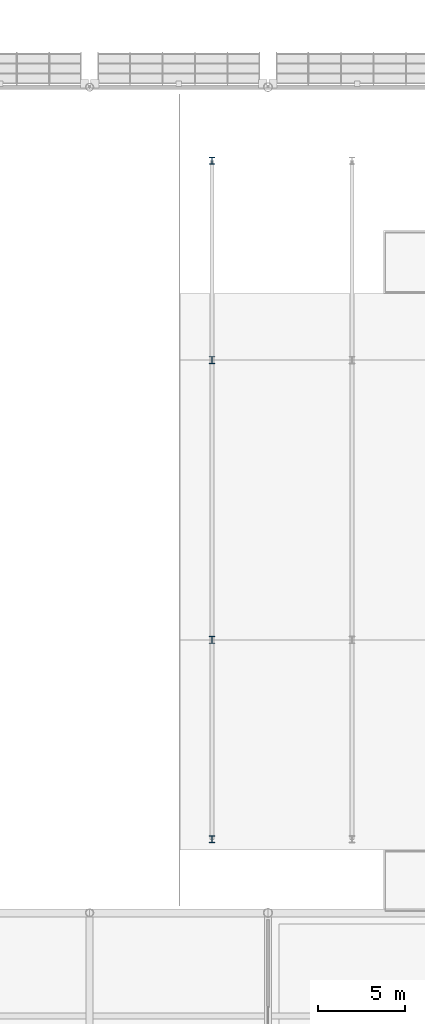
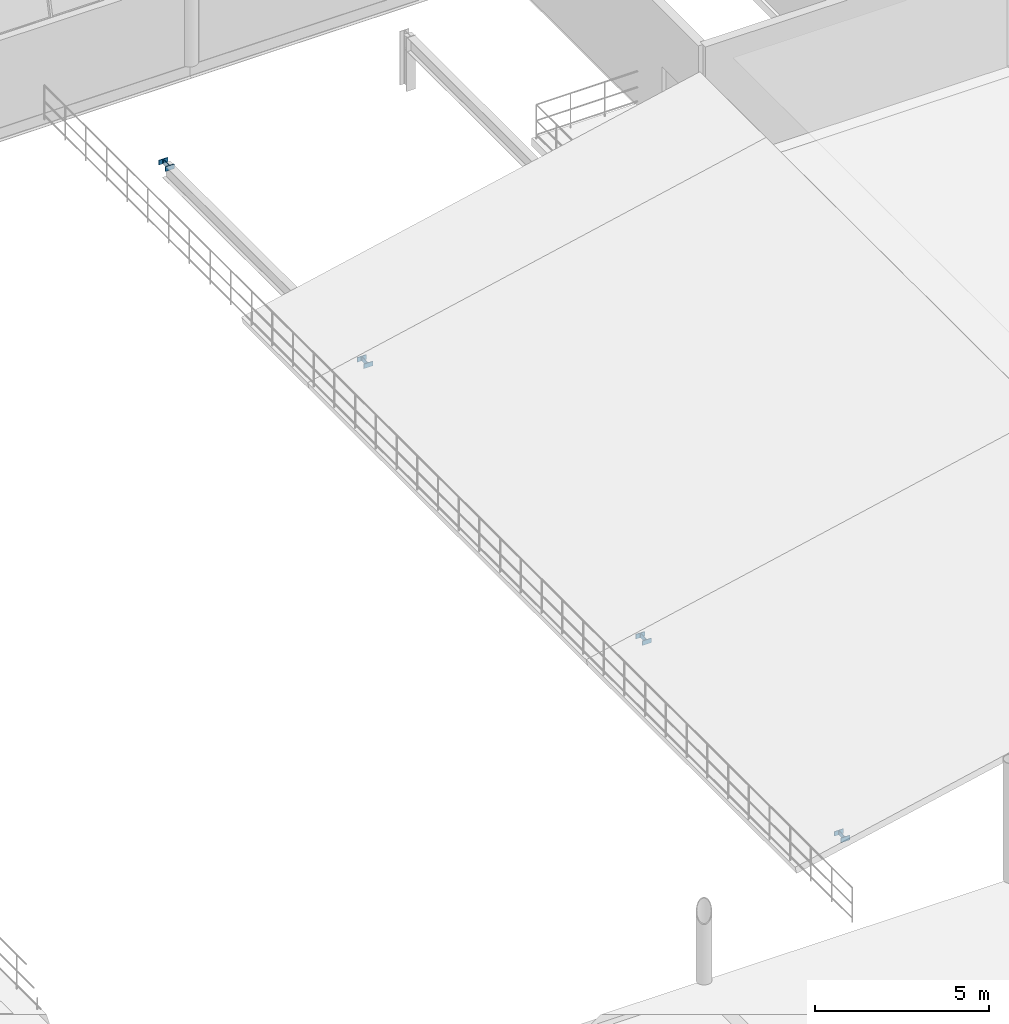
# One storey, part 20 of 157: 4 columns.
"""IFC4 building model written with IfcOpenShell, lengths in metres."""

from ifc_helpers import new_model, si_unit, direction, frame, origin, origin_2d, place, context, subcontext, project, spatial, i_section, extrude, material, material_profile, profile_set, type_object, element, save


model = new_model("IFC4")

# Units and contexts
model_context = context("Model", 3, precision=1e-05, world=origin(), true_north=direction((0.0, 1.0)))
body_context = subcontext(model_context, "Body", "Model", "MODEL_VIEW")
ifc_project = project(units=[si_unit("LENGTHUNIT", "METRE"), si_unit("AREAUNIT", "SQUARE_METRE"), si_unit("VOLUMEUNIT", "CUBIC_METRE"), si_unit("PLANEANGLEUNIT", "RADIAN"), si_unit("MASSUNIT", "GRAM", prefix="KILO")], contexts=[model_context])

# Site, building, storey
site_placement = place(None, origin())
site = spatial("IfcSite", under=ifc_project, at=site_placement, CompositionType="ELEMENT")
building_placement = place(site_placement, origin())
building = spatial("IfcBuilding", under=site, at=building_placement, Name="Brelvane Convention Centre", CompositionType="ELEMENT")
storey_placement = place(building_placement, frame((0.0, 0.0, 10.800048828125)))
storey = spatial("IfcBuildingStorey", under=building, at=storey_placement, Name="L02", CompositionType="ELEMENT", Elevation=10.800048828125)

# Columns
ifc_material = material(Name="Steel E350 (350 MPa)", Category="steel")
ifc_material_profile = material_profile(ifc_material, i_section(OverallWidth=0.300048828125, OverallDepth=0.39990234375, WebThickness=0.013427734375, FlangeThickness=0.02392578125, FilletRadius=0.027099609375, at=origin_2d()), Name="WPB 400x300")
ifc_profile_set = profile_set([ifc_material_profile], Name="Steel E350 (350 MPa)")
column_type = type_object("IfcColumnType", Name="Steel Column C-ST7 (WPB 400x300)", PredefinedType="COLUMN", material=ifc_profile_set)
for number, where, z_axis, x_axis, name in (
    (1, (200.800048828125, 44.800048828125, 0.0), (0.0, 0.0, 1.0), (1.0, 0.0, 0.0), "Plenary Balcony Tier Column L02 U1-Y44"),
    (2, (200.800048828125, 56.199951171875, 0.0), (0.0, 0.0, 1.0), (1.0, 0.0, 0.0), "Plenary Balcony Tier Column L02 U1-Y56"),
    (3, (200.800048828125, 72.199951171875, 0.0), (0.0, 0.0, 1.0), (1.0, 0.0, 0.0), "Plenary Balcony Tier Column L02 U1-Y72"),
    (4, (200.800048828125, 83.60009765625, 0.0), (0.0, 0.0, 1.0), (1.0, 0.0, 0.0), "Plenary Balcony Tier Column L02 U1-Y83"),
):
    element("IfcColumn", number, at=place(storey_placement, frame(where, z_axis=z_axis, x_axis=x_axis)), inside=storey, type_object=column_type, Name=name, PredefinedType="COLUMN", context=body_context, shape_type="SweptSolid", body=[
        extrude(i_section(OverallWidth=0.300048828125, OverallDepth=0.39990234375, WebThickness=0.013427734375, FlangeThickness=0.02392578125, FilletRadius=0.027099609375, at=origin_2d()), origin(), (0.0, 0.0, 1.0), 0.159912109375),
    ])

save(model, "model.ifc")
